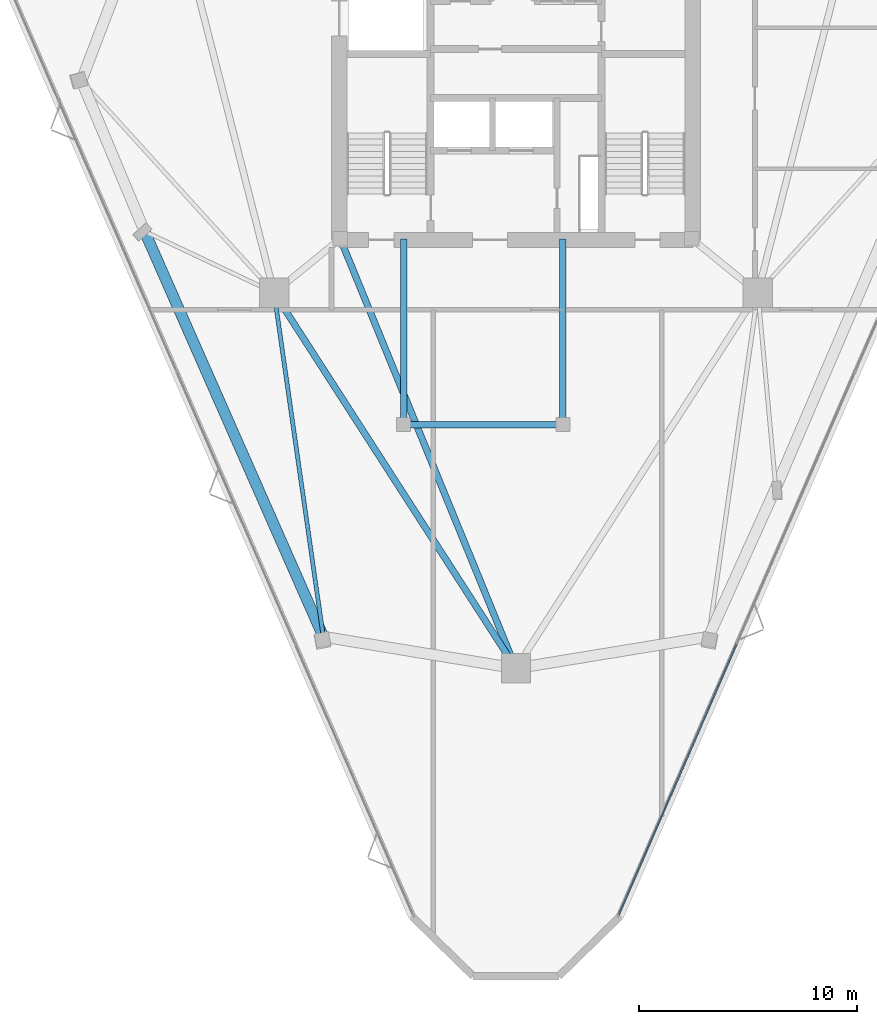
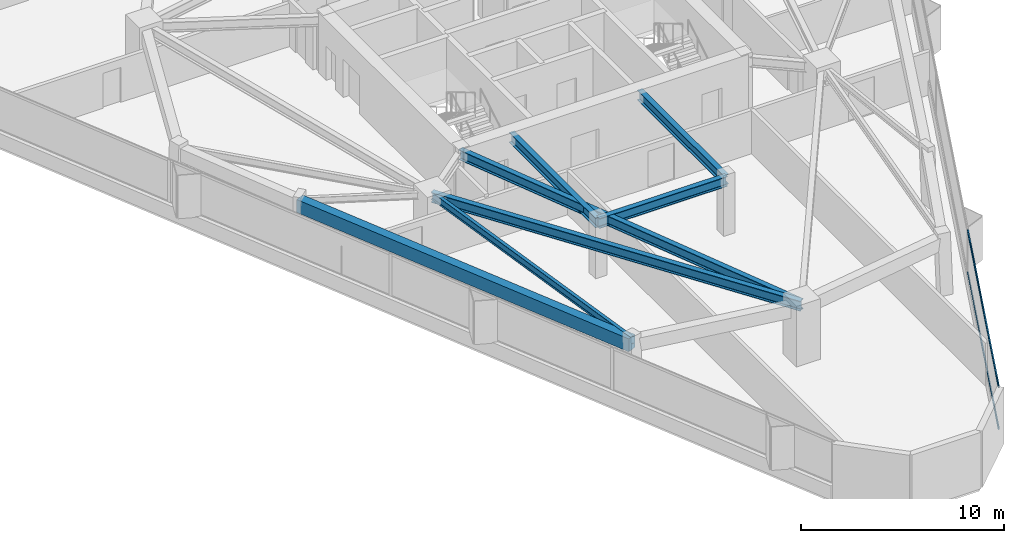
# One storey, part 3 of 12: 7 beams, 2 members, 1 element without a shape of its own.
"""IFC4 building model written with IfcOpenShell, lengths in metres."""

from ifc_helpers import new_model, si_unit, direction, frame, origin, origin_2d, place, context, subcontext, project, spatial, rectangle, i_section, extrude, material, layer, layer_set, material_profile, profile_set, type_object, element, aggregate, save


model = new_model("IFC4")

# Units and contexts
model_context = context("Model", 3, precision=1e-05, world=origin(), true_north=direction((0.0, 1.0)))
body_context = subcontext(model_context, "Body", "Model", "MODEL_VIEW")
ifc_project = project(units=[si_unit("LENGTHUNIT", "METRE"), si_unit("AREAUNIT", "SQUARE_METRE"), si_unit("VOLUMEUNIT", "CUBIC_METRE"), si_unit("PLANEANGLEUNIT", "RADIAN"), si_unit("MASSUNIT", "GRAM", prefix="KILO")], contexts=[model_context])

# Site, building, storey
site_placement = place(None, origin())
site = spatial("IfcSite", under=ifc_project, at=site_placement, CompositionType="ELEMENT")
building_placement = place(site_placement, origin())
building = spatial("IfcBuilding", under=site, at=building_placement, Name="Talyreon Biosciences Tower", CompositionType="ELEMENT")
storey_placement = place(building_placement, frame((0.0, 0.0, 186.699951171875)))
storey = spatial("IfcBuildingStorey", under=building, at=storey_placement, Name="L49", CompositionType="ELEMENT", Elevation=186.699951171875)

# Curtain wall, members
ifc_material_1 = material(Name="Thermally broken aluminium and low-E glazing", Category="aluminium")
ifc_layer = layer(ifc_material_1, 0.179931640625)
ifc_layer_set = layer_set([ifc_layer], Name="Thermally broken aluminium and low-E glazing")
curtain_wall_type = type_object("IfcCurtainWallType", Name="CurtainWall_Zone4Optical", PredefinedType="NOTDEFINED", material=ifc_layer_set)
curtain_wall_placement = place(storey_placement, origin())
curtain_wall = element("IfcCurtainWall", 1, at=curtain_wall_placement, inside=storey, type_object=curtain_wall_type, Name="L49 Unitised Curtain Wall FCW-L49-08", PredefinedType="NOTDEFINED")
ifc_material_2 = material(Name="Anodised thermally broken aluminium", Category="aluminium")
ifc_material_profile_1 = material_profile(ifc_material_2, rectangle(XDim=0.06494140625, YDim=0.139892578125, at=origin_2d()), Name="ALUM TRANSOM 65x140")
ifc_profile_set_1 = profile_set([ifc_material_profile_1], Name="Anodised thermally broken aluminium")
member_type = type_object("IfcMemberType", Name="CWTransom_65x140", PredefinedType="USERDEFINED", material=ifc_profile_set_1)
member_1_placement = place(storey_placement, frame((76.10546875, 42.76025390625, 0.842529296875), z_axis=(-0.399077385587, -0.916917248345, 0.0), x_axis=(0.916917248345, -0.399077385587, 0.0)))
member_1 = element("IfcMember", 2, at=member_1_placement, type_object=member_type, Name="CW5 transom 4.1", ObjectType="TRANSOM", PredefinedType="USERDEFINED", context=body_context, shape_type="SweptSolid", body=[
    extrude(rectangle(XDim=0.06494140625, YDim=0.139892578125, at=origin_2d()), origin(), (0.0, 0.0, 1.0), 13.49365234375),
])
member_2_placement = place(storey_placement, frame((76.10546875, 42.76025390625, 3.367431640625), z_axis=(-0.399077385587, -0.916917248345, 0.0), x_axis=(0.916917248345, -0.399077385587, 0.0)))
member_2 = element("IfcMember", 3, at=member_2_placement, type_object=member_type, Name="CW5 transom 4.2", ObjectType="TRANSOM", PredefinedType="USERDEFINED", context=body_context, shape_type="SweptSolid", body=[
    extrude(rectangle(XDim=0.06494140625, YDim=0.139892578125, at=origin_2d()), origin(), (0.0, 0.0, 1.0), 13.49365234375),
])
aggregate(curtain_wall, [member_1, member_2])

# Beams
ifc_material_3 = material(Name="Precast concrete C45/55", Category="concrete")
ifc_material_profile_2 = material_profile(ifc_material_3, rectangle(XDim=0.5, YDim=0.780029296875, at=origin_2d()), Name="RCB 500x780")
ifc_profile_set_2 = profile_set([ifc_material_profile_2], Name="Precast concrete C45/55")
beam_type_1 = type_object("IfcBeamType", Name="ExpressedSpandrel_500x780", PredefinedType="SPANDREL", material=ifc_profile_set_2)
beam_1_placement = place(storey_placement, frame((48.9765625, 61.697509765625, 3.010009765625), z_axis=(0.403454023408, -0.914999918577, 0.0), x_axis=(0.914999918577, 0.403454023408, 0.0)))
element("IfcBeam", 4, at=beam_1_placement, inside=storey, type_object=beam_type_1, Name="L49 Expressed Horizontal Concrete Spandrel 11", PredefinedType="SPANDREL", context=body_context, shape_type="SweptSolid", body=[
    extrude(rectangle(XDim=0.5, YDim=0.780029296875, at=origin_2d()), origin(), (0.0, 0.0, 1.0), 20.307373046875),
])
ifc_material_4 = material(Name="Steel SM355", Category="steel")
ifc_material_profile_3 = material_profile(ifc_material_4, i_section(OverallWidth=0.300048828125, OverallDepth=0.60009765625, WebThickness=0.015380859375, FlangeThickness=0.030029296875, FilletRadius=0.027099609375, at=origin_2d()), Name="HE600B")
ifc_profile_set_3 = profile_set([ifc_material_profile_3], Name="Steel SM355")
beam_type_2 = type_object("IfcBeamType", Name="SteelBeam_HE600B", PredefinedType="BEAM", material=ifc_profile_set_3)
beam_2_placement = place(storey_placement, frame((54.913818359375, 58.88037109375, 3.10009765625), z_axis=(0.541463723609, -0.840724114092, 0.0), x_axis=(0.840724114092, 0.541463723609, 0.0)))
element("IfcBeam", 5, at=beam_2_placement, inside=storey, type_object=beam_type_2, Name="L49 Mega-Ring Girder 6", PredefinedType="BEAM", context=body_context, shape_type="SweptSolid", body=[
    extrude(i_section(OverallWidth=0.300048828125, OverallDepth=0.60009765625, WebThickness=0.015380859375, FlangeThickness=0.030029296875, FilletRadius=0.027099609375, at=origin_2d()), origin(), (0.0, 0.0, 1.0), 20.474365234375),
])
beam_3_placement = place(storey_placement, frame((57.949951171875, 61.35009765625, 3.10009765625), z_axis=(0.378547014545, -0.925582064314, 0.0), x_axis=(0.925582064314, 0.378547014545, 0.0)))
element("IfcBeam", 6, at=beam_3_placement, inside=storey, type_object=beam_type_2, Name="L49 Radial Primary Girder 1", PredefinedType="BEAM", context=body_context, shape_type="SweptSolid", body=[
    extrude(i_section(OverallWidth=0.300048828125, OverallDepth=0.60009765625, WebThickness=0.015380859375, FlangeThickness=0.030029296875, FilletRadius=0.027099609375, at=origin_2d()), origin(), (0.0, 0.0, 1.0), 21.265625),
])
beam_4_placement = place(storey_placement, frame((60.85009765625, 52.840087890625, 3.10009765625), z_axis=(1.0, 0.0, 0.0), x_axis=(0.0, 1.0, 0.0)))
element("IfcBeam", 7, at=beam_4_placement, inside=storey, type_object=beam_type_2, Name="L49 Crown Shaft Spine Girder S", PredefinedType="BEAM", context=body_context, shape_type="SweptSolid", body=[
    extrude(i_section(OverallWidth=0.300048828125, OverallDepth=0.60009765625, WebThickness=0.015380859375, FlangeThickness=0.030029296875, FilletRadius=0.027099609375, at=origin_2d()), origin(), (0.0, 0.0, 1.0), 7.2998046875),
])
for number, where, z_axis, x_axis, name in (
    (8, (60.85009765625, 52.840087890625, 3.10009765625), (0.0, 1.0, 0.0), (-1.0, 0.0, 0.0), "L49 Crown Shaft Tie Girder W"),
    (9, (68.14990234375, 52.840087890625, 3.10009765625), (0.0, 1.0, 0.0), (-1.0, 0.0, 0.0), "L49 Crown Shaft Tie Girder E"),
):
    element("IfcBeam", number, at=place(storey_placement, frame(where, z_axis=z_axis, x_axis=x_axis)), inside=storey, type_object=beam_type_2, Name=name, PredefinedType="BEAM", context=body_context, shape_type="SweptSolid", body=[
        extrude(i_section(OverallWidth=0.300048828125, OverallDepth=0.60009765625, WebThickness=0.015380859375, FlangeThickness=0.030029296875, FilletRadius=0.027099609375, at=origin_2d()), origin(), (0.0, 0.0, 1.0), 8.510009765625),
    ])
ifc_material_profile_4 = material_profile(ifc_material_4, i_section(OverallWidth=0.18994140625, OverallDepth=0.449951171875, WebThickness=0.009521484375, FlangeThickness=0.0146484375, FilletRadius=0.02099609375, at=origin_2d()), Name="IPE450")
ifc_profile_set_4 = profile_set([ifc_material_profile_4], Name="Steel SM355")
beam_type_3 = type_object("IfcBeamType", Name="SteelJoist_IPE450", PredefinedType="JOIST", material=ifc_profile_set_4)
beam_5_placement = place(storey_placement, frame((54.913818359375, 58.88037109375, 3.175048828125), z_axis=(0.141657447962, -0.989915737544, 0.0), x_axis=(0.989915737544, 0.141657447962, 0.0)))
element("IfcBeam", 10, at=beam_5_placement, inside=storey, type_object=beam_type_3, Name="L49 Radial Composite Floor Joist PC-SW2", PredefinedType="JOIST", context=body_context, shape_type="SweptSolid", body=[
    extrude(i_section(OverallWidth=0.18994140625, OverallDepth=0.449951171875, WebThickness=0.009521484375, FlangeThickness=0.0146484375, FilletRadius=0.02099609375, at=origin_2d()), origin(), (0.0, 0.0, 1.0), 15.9248046875),
])

save(model, "model.ifc")
